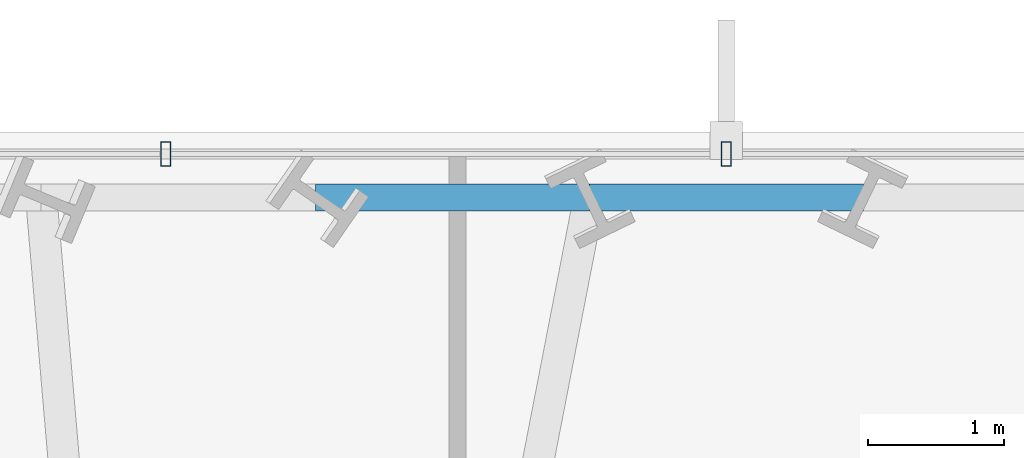
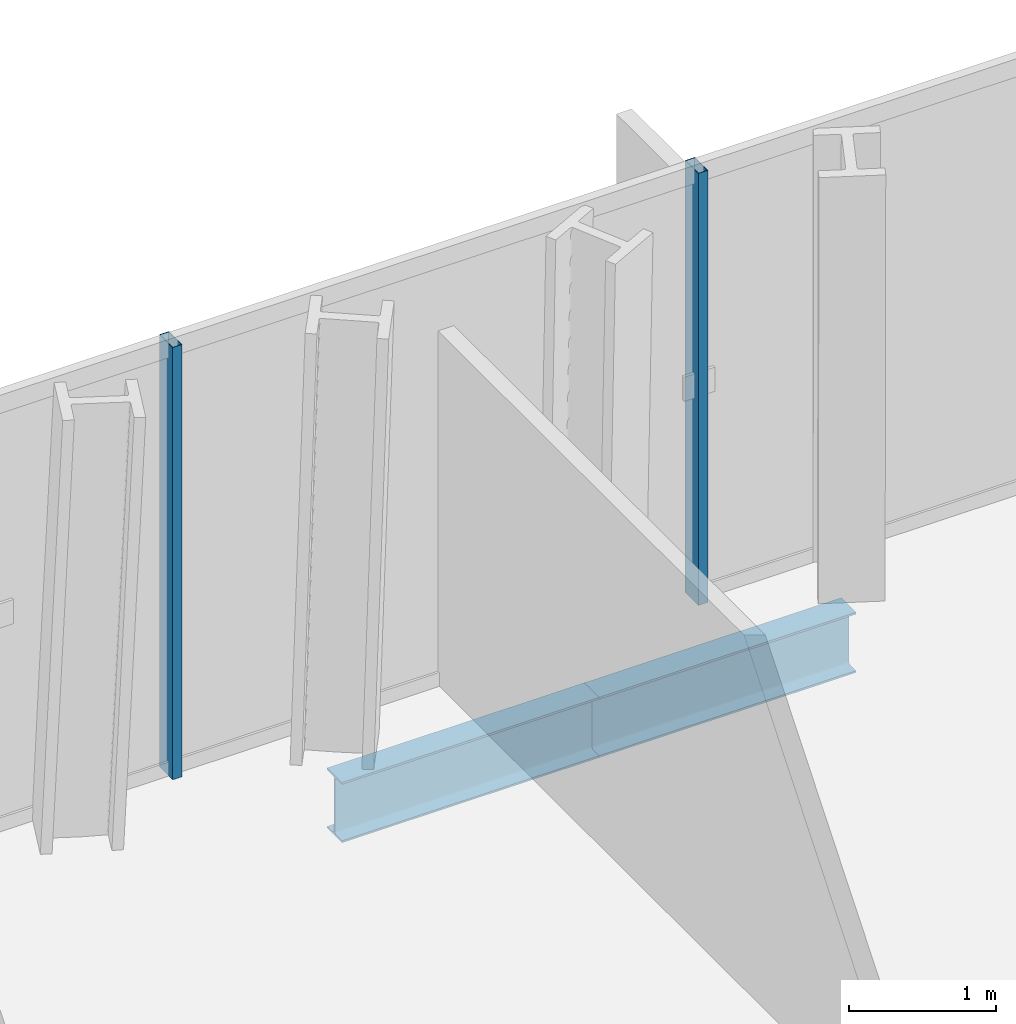
# One storey, part 22 of 33: 2 beams, 2 members, 1 element without a shape of its own.
"""IFC4 building model written with IfcOpenShell, lengths in metres."""

from ifc_helpers import new_model, si_unit, direction, frame, origin, origin_2d, place, context, subcontext, project, spatial, hollow_rectangle, i_section, extrude, material, layer, layer_set, material_profile, profile_set, type_object, element, aggregate, save


model = new_model("IFC4")

# Units and contexts
model_context = context("Model", 3, precision=1e-05, world=origin(), true_north=direction((0.0, 1.0)))
body_context = subcontext(model_context, "Body", "Model", "MODEL_VIEW")
ifc_project = project(units=[si_unit("LENGTHUNIT", "METRE"), si_unit("AREAUNIT", "SQUARE_METRE"), si_unit("VOLUMEUNIT", "CUBIC_METRE"), si_unit("PLANEANGLEUNIT", "RADIAN"), si_unit("MASSUNIT", "GRAM", prefix="KILO")], contexts=[model_context])

# Site, building, storey
site_placement = place(None, origin())
site = spatial("IfcSite", under=ifc_project, at=site_placement, CompositionType="ELEMENT")
building_placement = place(site_placement, origin())
building = spatial("IfcBuilding", under=site, at=building_placement, Name="Ndaravel Arena Tower", CompositionType="ELEMENT")
storey_placement = place(building_placement, frame((0.0, 0.0, 43.60009765625)))
storey = spatial("IfcBuildingStorey", under=building, at=storey_placement, Name="L08", CompositionType="ELEMENT", Elevation=43.60009765625)

# Beams
ifc_material_1 = material(Name="Steel S355", Category="steel")
ifc_material_profile_1 = material_profile(ifc_material_1, i_section(OverallWidth=0.199951171875, OverallDepth=0.5, WebThickness=0.01025390625, FlangeThickness=0.01611328125, FilletRadius=0.02099609375, at=origin_2d()), Name="IPE 500")
ifc_profile_set_1 = profile_set([ifc_material_profile_1], Name="Steel S355")
beam_type = type_object("IfcBeamType", Name="BM-SPAN-IPE500", PredefinedType="SPANDREL", material=ifc_profile_set_1)
beam_1_placement = place(storey_placement, frame((43.0068359375, 45.590087890625, -0.47021484375), z_axis=(-1.0, 0.0, 0.0), x_axis=(0.0, -1.0, 0.0)))
element("IfcBeam", 1, at=beam_1_placement, inside=storey, type_object=beam_type, Name="L08 Perimeter Spandrel Beam SP-14", PredefinedType="SPANDREL", context=body_context, shape_type="SweptSolid", body=[
    extrude(i_section(OverallWidth=0.199951171875, OverallDepth=0.5, WebThickness=0.01025390625, FlangeThickness=0.01611328125, FilletRadius=0.02099609375, at=origin_2d()), origin(), (0.0, 0.0, 1.0), 2.013671875),
])
beam_2_placement = place(storey_placement, frame((40.9931640625, 45.590087890625, -0.47021484375), z_axis=(-1.0, 0.0, 0.0), x_axis=(0.0, -1.0, 0.0)))
element("IfcBeam", 2, at=beam_2_placement, inside=storey, type_object=beam_type, Name="L08 Perimeter Spandrel Beam SP-15", PredefinedType="SPANDREL", context=body_context, shape_type="SweptSolid", body=[
    extrude(i_section(OverallWidth=0.199951171875, OverallDepth=0.5, WebThickness=0.01025390625, FlangeThickness=0.01611328125, FilletRadius=0.02099609375, at=origin_2d()), origin(), (0.0, 0.0, 1.0), 2.013427734375),
])

# Curtain wall, members
ifc_material_2 = material(Name="Aluminium", Category="aluminium")
ifc_layer = layer(ifc_material_2, 0.179931640625)
ifc_layer_set = layer_set([ifc_layer], Name="Aluminium")
curtain_wall_type = type_object("IfcCurtainWallType", Name="CW-SYS-01", PredefinedType="NOTDEFINED", material=ifc_layer_set)
curtain_wall_placement = place(storey_placement, origin())
curtain_wall = element("IfcCurtainWall", 3, at=curtain_wall_placement, inside=storey, type_object=curtain_wall_type, Name="L08 Faceted Crystal Curtain Wall CW-L08-E04", PredefinedType="NOTDEFINED")
ifc_material_3 = material(Name="Aluminium", Category="aluminium")
ifc_material_profile_2 = material_profile(ifc_material_3, hollow_rectangle(XDim=0.074951171875, YDim=0.179931640625, WallThickness=0.00390625, at=origin_2d()), Name="CW MULLION 75x180x4")
ifc_profile_set_2 = profile_set([ifc_material_profile_2], Name="Aluminium")
member_type = type_object("IfcMemberType", Name="MEM-CW-MUL180", PredefinedType="MULLION", material=ifc_profile_set_2)
member_1_placement = place(storey_placement, frame((42.0, 45.909912109375, 0.0), z_axis=(0.0, 0.0, 1.0), x_axis=(-1.0, 0.0, 0.0)))
member_1 = element("IfcMember", 4, at=member_1_placement, type_object=member_type, Name="CW-L08-E04 Mullion 02", PredefinedType="MULLION", context=body_context, shape_type="SweptSolid", body=[
    extrude(hollow_rectangle(XDim=0.074951171875, YDim=0.179931640625, WallThickness=0.00390625, at=origin_2d()), origin(), (0.0, 0.0, 1.0), 3.579833984375),
])
member_2_placement = place(storey_placement, frame((37.880615234375, 45.909912109375, 0.0), z_axis=(0.0, 0.0, 1.0), x_axis=(-1.0, 0.0, 0.0)))
member_2 = element("IfcMember", 5, at=member_2_placement, type_object=member_type, Name="CW-L08-E04 Mullion 03", PredefinedType="MULLION", context=body_context, shape_type="SweptSolid", body=[
    extrude(hollow_rectangle(XDim=0.074951171875, YDim=0.179931640625, WallThickness=0.00390625, at=origin_2d()), origin(), (0.0, 0.0, 1.0), 3.579833984375),
])
aggregate(curtain_wall, [member_1, member_2])

save(model, "model.ifc")
